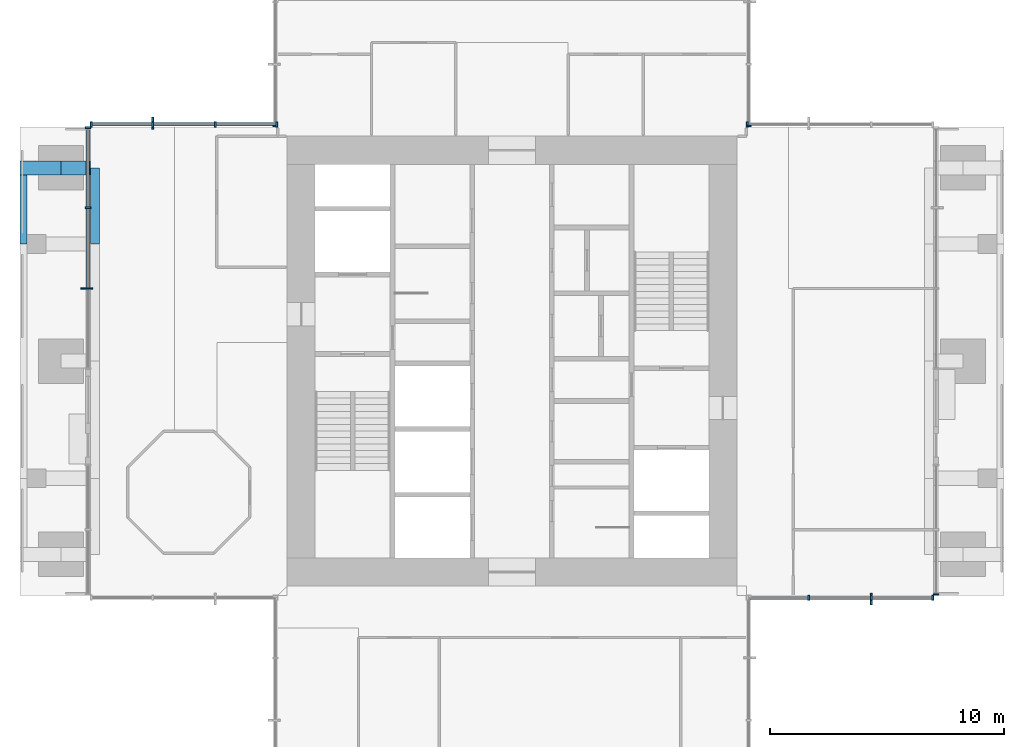
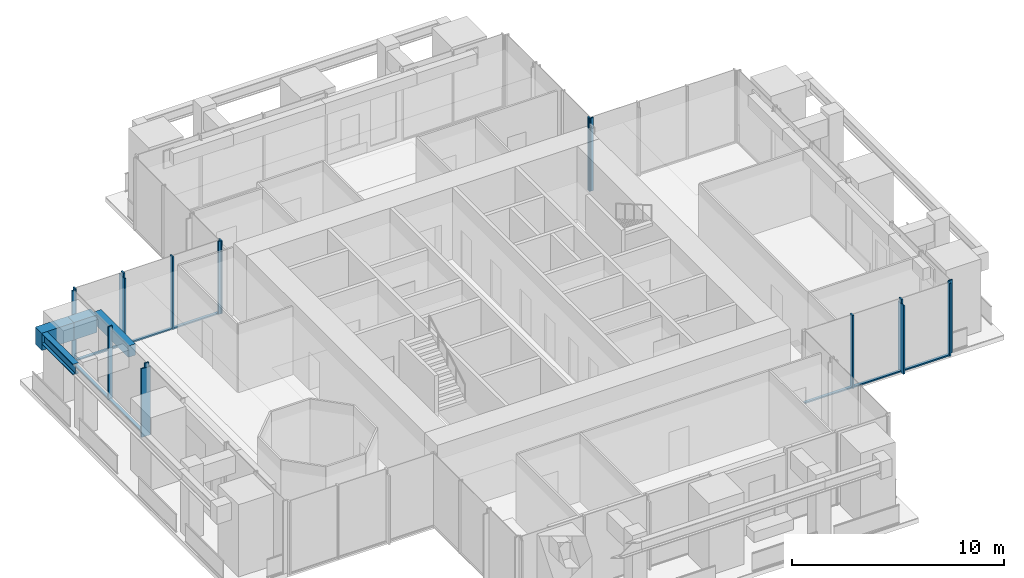
# One storey, part 3 of 12: 25 members, 4 beams, 7 elements without a shape of their own.
"""IFC4 building model written with IfcOpenShell, lengths in metres."""

from ifc_helpers import new_model, si_unit, direction, frame, origin, origin_2d, place, context, subcontext, project, spatial, rectangle, i_section, extrude, material, material_profile, profile_set, type_object, element, aggregate, save


model = new_model("IFC4")

# Units and contexts
model_context = context("Model", 3, precision=1e-05, world=origin(), true_north=direction((0.0, 1.0)))
body_context = subcontext(model_context, "Body", "Model", "MODEL_VIEW")
ifc_project = project(units=[si_unit("LENGTHUNIT", "METRE"), si_unit("AREAUNIT", "SQUARE_METRE"), si_unit("VOLUMEUNIT", "CUBIC_METRE"), si_unit("PLANEANGLEUNIT", "RADIAN"), si_unit("MASSUNIT", "GRAM", prefix="KILO")], contexts=[model_context])

# Site, building, storey
site_placement = place(None, origin())
site = spatial("IfcSite", under=ifc_project, at=site_placement, CompositionType="ELEMENT")
building_placement = place(site_placement, origin())
building = spatial("IfcBuilding", under=site, at=building_placement, Name="Svetlomir Tower", CompositionType="ELEMENT")
storey_placement = place(building_placement, frame((0.0, 0.0, 269.199951171875)))
storey = spatial("IfcBuildingStorey", under=building, at=storey_placement, Name="L64", CompositionType="ELEMENT", Elevation=269.199951171875)

# Curtain wall, member
ifc_material_1 = material(Name="Bronze anodised aluminium curtain wall", Category="aluminium")
curtain_wall_type = type_object("IfcCurtainWallType", Name="CURTAIN WALL CW4 EXECUTIVE", PredefinedType="NOTDEFINED", material=ifc_material_1)
curtain_wall_1_placement = place(storey_placement, origin())
curtain_wall_1 = element("IfcCurtainWall", 1, at=curtain_wall_1_placement, inside=storey, type_object=curtain_wall_type, Name="Curtain wall CW4 L64", PredefinedType="NOTDEFINED")
ifc_material_2 = material(Name="Bronze anodised aluminium", Category="aluminium")
ifc_material_profile_1 = material_profile(ifc_material_2, rectangle(XDim=0.080078125, YDim=0.5, at=origin_2d()), Name="FIN 80x500")
ifc_profile_set_1 = profile_set([ifc_material_profile_1], Name="Bronze anodised aluminium 6063-T6")
member_type_1 = type_object("IfcMemberType", Name="BRONZE FIN 80x500", PredefinedType="USERDEFINED", material=ifc_profile_set_1)
member_1_placement = place(storey_placement, frame((36.333251953125, 10.85009765625, 0.0), z_axis=(0.0, 0.0, 1.0), x_axis=(1.0, 0.0, 0.0)))
member_1 = element("IfcMember", 2, at=member_1_placement, type_object=member_type_1, Name="Bronze fin L64", ObjectType="FIN", PredefinedType="USERDEFINED", context=body_context, shape_type="SweptSolid", body=[
    extrude(rectangle(XDim=0.080078125, YDim=0.5, at=origin_2d()), origin(), (0.0, 0.0, 1.0), 3.949951171875),
])

curtain_wall_2_placement = place(storey_placement, origin())
curtain_wall_2 = element("IfcCurtainWall", 3, at=curtain_wall_2_placement, inside=storey, type_object=curtain_wall_type, Name="Curtain wall CW4 L64", PredefinedType="NOTDEFINED")
member_2_placement = place(storey_placement, frame((5.666748046875, 31.14990234375, 0.0), z_axis=(0.0, 0.0, 1.0), x_axis=(1.0, 0.0, 0.0)))
member_2 = element("IfcMember", 4, at=member_2_placement, type_object=member_type_1, Name="Bronze fin L64", ObjectType="FIN", PredefinedType="USERDEFINED", context=body_context, shape_type="SweptSolid", body=[
    extrude(rectangle(XDim=0.080078125, YDim=0.5, at=origin_2d()), origin(), (0.0, 0.0, 1.0), 3.949951171875),
])

curtain_wall_3_placement = place(storey_placement, origin())
curtain_wall_3 = element("IfcCurtainWall", 5, at=curtain_wall_3_placement, inside=storey, type_object=curtain_wall_type, Name="Curtain wall CW4 L64", PredefinedType="NOTDEFINED")
member_3_placement = place(storey_placement, frame((2.85009765625, 24.10009765625, 0.0), z_axis=(0.0, 0.0, 1.0), x_axis=(0.0, 1.0, 0.0)))
member_3 = element("IfcMember", 6, at=member_3_placement, type_object=member_type_1, Name="Bronze fin L64", ObjectType="FIN", PredefinedType="USERDEFINED", context=body_context, shape_type="SweptSolid", body=[
    extrude(rectangle(XDim=0.080078125, YDim=0.5, at=origin_2d()), origin(), (0.0, 0.0, 1.0), 3.949951171875),
])

# Member
ifc_material_3 = material(Name="Bronze anodised aluminium", Category="aluminium")
ifc_material_profile_2 = material_profile(ifc_material_3, rectangle(XDim=0.074951171875, YDim=0.219970703125, at=origin_2d()), Name="AL 75x220")
ifc_profile_set_2 = profile_set([ifc_material_profile_2], Name="Bronze anodised aluminium 6063-T6")
member_type_2 = type_object("IfcMemberType", Name="CW4 MULLION 75x220", PredefinedType="MULLION", material=ifc_profile_set_2)
member_4_placement = place(storey_placement, frame((33.666748046875, 10.89990234375, 0.0), z_axis=(0.0, 0.0, 1.0), x_axis=(1.0, 0.0, 0.0)))
member_4 = element("IfcMember", 7, at=member_4_placement, type_object=member_type_2, Name="CW4 mullion 2", PredefinedType="MULLION", context=body_context, shape_type="SweptSolid", body=[
    extrude(rectangle(XDim=0.074951171875, YDim=0.219970703125, at=origin_2d()), origin(), (0.0, 0.0, 1.0), 4.199951171875),
])

member_5_placement = place(storey_placement, frame((36.333251953125, 10.89990234375, 0.0), z_axis=(0.0, 0.0, 1.0), x_axis=(1.0, 0.0, 0.0)))
member_5 = element("IfcMember", 8, at=member_5_placement, type_object=member_type_2, Name="CW4 mullion 3", PredefinedType="MULLION", context=body_context, shape_type="SweptSolid", body=[
    extrude(rectangle(XDim=0.074951171875, YDim=0.219970703125, at=origin_2d()), origin(), (0.0, 0.0, 1.0), 4.199951171875),
])

member_6_placement = place(storey_placement, frame((38.96240234375, 10.89990234375, 0.0), z_axis=(0.0, 0.0, 1.0), x_axis=(1.0, 0.0, 0.0)))
member_6 = element("IfcMember", 9, at=member_6_placement, type_object=member_type_2, Name="CW4 mullion 4", PredefinedType="MULLION", context=body_context, shape_type="SweptSolid", body=[
    extrude(rectangle(XDim=0.074951171875, YDim=0.219970703125, at=origin_2d()), origin(), (0.0, 0.0, 1.0), 4.199951171875),
])

# Curtain wall, member
curtain_wall_4_placement = place(storey_placement, origin())
curtain_wall_4 = element("IfcCurtainWall", 10, at=curtain_wall_4_placement, inside=storey, type_object=curtain_wall_type, Name="Curtain wall CW4 L64", PredefinedType="NOTDEFINED")
member_7_placement = place(storey_placement, frame((39.10009765625, 11.03759765625, 0.0), z_axis=(0.0, 0.0, 1.0), x_axis=(0.0, 1.0, 0.0)))
member_7 = element("IfcMember", 11, at=member_7_placement, type_object=member_type_2, Name="CW4 mullion 1", PredefinedType="MULLION", context=body_context, shape_type="SweptSolid", body=[
    extrude(rectangle(XDim=0.074951171875, YDim=0.219970703125, at=origin_2d()), origin(), (0.0, 0.0, 1.0), 4.199951171875),
])
aggregate(curtain_wall_4, [member_7])

curtain_wall_5_placement = place(storey_placement, origin())
curtain_wall_5 = element("IfcCurtainWall", 12, at=curtain_wall_5_placement, inside=storey, type_object=curtain_wall_type, Name="Curtain wall CW4 L64", PredefinedType="NOTDEFINED")
member_8_placement = place(storey_placement, frame((31.03759765625, 31.10009765625, 0.0), z_axis=(0.0, 0.0, 1.0), x_axis=(-1.0, 0.0, 0.0)))
member_8 = element("IfcMember", 13, at=member_8_placement, type_object=member_type_2, Name="CW4 mullion 4", PredefinedType="MULLION", context=body_context, shape_type="SweptSolid", body=[
    extrude(rectangle(XDim=0.074951171875, YDim=0.219970703125, at=origin_2d()), origin(), (0.0, 0.0, 1.0), 4.199951171875),
])
aggregate(curtain_wall_5, [member_8])

curtain_wall_6_placement = place(storey_placement, origin())
curtain_wall_6 = element("IfcCurtainWall", 14, at=curtain_wall_6_placement, inside=storey, type_object=curtain_wall_type, Name="Curtain wall CW4 L64", PredefinedType="NOTDEFINED")
member_9_placement = place(storey_placement, frame((31.10009765625, 31.03759765625, 0.0), z_axis=(0.0, 0.0, 1.0), x_axis=(0.0, 1.0, 0.0)))
member_9 = element("IfcMember", 15, at=member_9_placement, type_object=member_type_2, Name="CW4 mullion 1", PredefinedType="MULLION", context=body_context, shape_type="SweptSolid", body=[
    extrude(rectangle(XDim=0.074951171875, YDim=0.219970703125, at=origin_2d()), origin(), (0.0, 0.0, 1.0), 4.199951171875),
])
aggregate(curtain_wall_6, [member_9])

curtain_wall_7_placement = place(storey_placement, origin())
curtain_wall_7 = element("IfcCurtainWall", 16, at=curtain_wall_7_placement, inside=storey, type_object=curtain_wall_type, Name="Curtain wall CW4 L64", PredefinedType="NOTDEFINED")
member_10_placement = place(storey_placement, frame((10.89990234375, 31.03759765625, 0.0), z_axis=(0.0, 0.0, 1.0), x_axis=(0.0, -1.0, 0.0)))
member_10 = element("IfcMember", 17, at=member_10_placement, type_object=member_type_2, Name="CW4 mullion 4", PredefinedType="MULLION", context=body_context, shape_type="SweptSolid", body=[
    extrude(rectangle(XDim=0.074951171875, YDim=0.219970703125, at=origin_2d()), origin(), (0.0, 0.0, 1.0), 4.199951171875),
])
aggregate(curtain_wall_7, [member_10])

# Member
member_11_placement = place(storey_placement, frame((10.96240234375, 31.10009765625, 0.0), z_axis=(0.0, 0.0, 1.0), x_axis=(-1.0, 0.0, 0.0)))
member_11 = element("IfcMember", 18, at=member_11_placement, type_object=member_type_2, Name="CW4 mullion 1", PredefinedType="MULLION", context=body_context, shape_type="SweptSolid", body=[
    extrude(rectangle(XDim=0.074951171875, YDim=0.219970703125, at=origin_2d()), origin(), (0.0, 0.0, 1.0), 4.199951171875),
])

member_12_placement = place(storey_placement, frame((8.333251953125, 31.10009765625, 0.0), z_axis=(0.0, 0.0, 1.0), x_axis=(-1.0, 0.0, 0.0)))
member_12 = element("IfcMember", 19, at=member_12_placement, type_object=member_type_2, Name="CW4 mullion 2", PredefinedType="MULLION", context=body_context, shape_type="SweptSolid", body=[
    extrude(rectangle(XDim=0.074951171875, YDim=0.219970703125, at=origin_2d()), origin(), (0.0, 0.0, 1.0), 4.199951171875),
])

member_13_placement = place(storey_placement, frame((5.666748046875, 31.10009765625, 0.0), z_axis=(0.0, 0.0, 1.0), x_axis=(-1.0, 0.0, 0.0)))
member_13 = element("IfcMember", 20, at=member_13_placement, type_object=member_type_2, Name="CW4 mullion 3", PredefinedType="MULLION", context=body_context, shape_type="SweptSolid", body=[
    extrude(rectangle(XDim=0.074951171875, YDim=0.219970703125, at=origin_2d()), origin(), (0.0, 0.0, 1.0), 4.199951171875),
])

member_14_placement = place(storey_placement, frame((3.03759765625, 31.10009765625, 0.0), z_axis=(0.0, 0.0, 1.0), x_axis=(-1.0, 0.0, 0.0)))
member_14 = element("IfcMember", 21, at=member_14_placement, type_object=member_type_2, Name="CW4 mullion 4", PredefinedType="MULLION", context=body_context, shape_type="SweptSolid", body=[
    extrude(rectangle(XDim=0.074951171875, YDim=0.219970703125, at=origin_2d()), origin(), (0.0, 0.0, 1.0), 4.199951171875),
])

member_15_placement = place(storey_placement, frame((2.89990234375, 30.96240234375, 0.0), z_axis=(0.0, 0.0, 1.0), x_axis=(0.0, -1.0, 0.0)))
member_15 = element("IfcMember", 22, at=member_15_placement, type_object=member_type_2, Name="CW4 mullion 1", PredefinedType="MULLION", context=body_context, shape_type="SweptSolid", body=[
    extrude(rectangle(XDim=0.074951171875, YDim=0.219970703125, at=origin_2d()), origin(), (0.0, 0.0, 1.0), 4.199951171875),
])

member_16_placement = place(storey_placement, frame((2.89990234375, 27.550048828125, 0.0), z_axis=(0.0, 0.0, 1.0), x_axis=(0.0, -1.0, 0.0)))
member_16 = element("IfcMember", 23, at=member_16_placement, type_object=member_type_2, Name="CW4 mullion 2", PredefinedType="MULLION", context=body_context, shape_type="SweptSolid", body=[
    extrude(rectangle(XDim=0.074951171875, YDim=0.219970703125, at=origin_2d()), origin(), (0.0, 0.0, 1.0), 4.199951171875),
])

member_17_placement = place(storey_placement, frame((2.89990234375, 24.10009765625, 0.0), z_axis=(0.0, 0.0, 1.0), x_axis=(0.0, -1.0, 0.0)))
member_17 = element("IfcMember", 24, at=member_17_placement, type_object=member_type_2, Name="CW4 mullion 3", PredefinedType="MULLION", context=body_context, shape_type="SweptSolid", body=[
    extrude(rectangle(XDim=0.074951171875, YDim=0.219970703125, at=origin_2d()), origin(), (0.0, 0.0, 1.0), 4.199951171875),
])

ifc_material_4 = material(Name="Bronze anodised aluminium", Category="aluminium")
ifc_material_profile_3 = material_profile(ifc_material_4, rectangle(XDim=0.14990234375, YDim=0.074951171875, at=origin_2d()), Name="AL 150x75")
ifc_profile_set_3 = profile_set([ifc_material_profile_3], Name="Bronze anodised aluminium 6063-T6")
member_type_3 = type_object("IfcMemberType", Name="CW4 TRANSOM 75x150", PredefinedType="USERDEFINED", material=ifc_profile_set_3)
member_18_placement = place(storey_placement, frame((31.074951171875, 10.89990234375, 0.03759765625), z_axis=(1.0, 0.0, 0.0), x_axis=(0.0, 1.0, 0.0)))
member_18 = element("IfcMember", 25, at=member_18_placement, type_object=member_type_3, Name="CW4 transom 1.1", ObjectType="TRANSOM", PredefinedType="USERDEFINED", context=body_context, shape_type="SweptSolid", body=[
    extrude(rectangle(XDim=0.14990234375, YDim=0.074951171875, at=origin_2d()), origin(), (0.0, 0.0, 1.0), 2.55419921875),
])

member_19_placement = place(storey_placement, frame((33.7041015625, 10.89990234375, 0.03759765625), z_axis=(1.0, 0.0, 0.0), x_axis=(0.0, 1.0, 0.0)))
member_19 = element("IfcMember", 26, at=member_19_placement, type_object=member_type_3, Name="CW4 transom 2.1", ObjectType="TRANSOM", PredefinedType="USERDEFINED", context=body_context, shape_type="SweptSolid", body=[
    extrude(rectangle(XDim=0.14990234375, YDim=0.074951171875, at=origin_2d()), origin(), (0.0, 0.0, 1.0), 2.591796875),
])

member_20_placement = place(storey_placement, frame((36.370849609375, 10.89990234375, 0.03759765625), z_axis=(1.0, 0.0, 0.0), x_axis=(0.0, 1.0, 0.0)))
member_20 = element("IfcMember", 27, at=member_20_placement, type_object=member_type_3, Name="CW4 transom 3.1", ObjectType="TRANSOM", PredefinedType="USERDEFINED", context=body_context, shape_type="SweptSolid", body=[
    extrude(rectangle(XDim=0.14990234375, YDim=0.074951171875, at=origin_2d()), origin(), (0.0, 0.0, 1.0), 2.55419921875),
])

aggregate(curtain_wall_1, [member_4, member_5, member_6, member_18, member_19, member_20, member_1])

member_21_placement = place(storey_placement, frame((10.925048828125, 31.10009765625, 0.03759765625), z_axis=(-1.0, 0.0, 0.0), x_axis=(0.0, -1.0, 0.0)))
member_21 = element("IfcMember", 28, at=member_21_placement, type_object=member_type_3, Name="CW4 transom 1.1", ObjectType="TRANSOM", PredefinedType="USERDEFINED", context=body_context, shape_type="SweptSolid", body=[
    extrude(rectangle(XDim=0.14990234375, YDim=0.074951171875, at=origin_2d()), origin(), (0.0, 0.0, 1.0), 2.55419921875),
])

member_22_placement = place(storey_placement, frame((8.2958984375, 31.10009765625, 0.03759765625), z_axis=(-1.0, 0.0, 0.0), x_axis=(0.0, -1.0, 0.0)))
member_22 = element("IfcMember", 29, at=member_22_placement, type_object=member_type_3, Name="CW4 transom 2.1", ObjectType="TRANSOM", PredefinedType="USERDEFINED", context=body_context, shape_type="SweptSolid", body=[
    extrude(rectangle(XDim=0.14990234375, YDim=0.074951171875, at=origin_2d()), origin(), (0.0, 0.0, 1.0), 2.591796875),
])

member_23_placement = place(storey_placement, frame((5.629150390625, 31.10009765625, 0.03759765625), z_axis=(-1.0, 0.0, 0.0), x_axis=(0.0, -1.0, 0.0)))
member_23 = element("IfcMember", 30, at=member_23_placement, type_object=member_type_3, Name="CW4 transom 3.1", ObjectType="TRANSOM", PredefinedType="USERDEFINED", context=body_context, shape_type="SweptSolid", body=[
    extrude(rectangle(XDim=0.14990234375, YDim=0.074951171875, at=origin_2d()), origin(), (0.0, 0.0, 1.0), 2.55419921875),
])

aggregate(curtain_wall_2, [member_11, member_12, member_13, member_14, member_21, member_22, member_23, member_2])

member_24_placement = place(storey_placement, frame((2.89990234375, 30.925048828125, 0.03759765625), z_axis=(0.0, -1.0, 0.0), x_axis=(1.0, 0.0, 0.0)))
member_24 = element("IfcMember", 31, at=member_24_placement, type_object=member_type_3, Name="CW4 transom 1.1", ObjectType="TRANSOM", PredefinedType="USERDEFINED", context=body_context, shape_type="SweptSolid", body=[
    extrude(rectangle(XDim=0.14990234375, YDim=0.074951171875, at=origin_2d()), origin(), (0.0, 0.0, 1.0), 3.337646484375),
])

member_25_placement = place(storey_placement, frame((2.89990234375, 27.512451171875, 0.03759765625), z_axis=(0.0, -1.0, 0.0), x_axis=(1.0, 0.0, 0.0)))
member_25 = element("IfcMember", 32, at=member_25_placement, type_object=member_type_3, Name="CW4 transom 2.1", ObjectType="TRANSOM", PredefinedType="USERDEFINED", context=body_context, shape_type="SweptSolid", body=[
    extrude(rectangle(XDim=0.14990234375, YDim=0.074951171875, at=origin_2d()), origin(), (0.0, 0.0, 1.0), 3.375),
])

aggregate(curtain_wall_3, [member_15, member_16, member_17, member_24, member_25, member_3])

# Beams
ifc_material_5 = material(Name="Steel S355", Category="steel")
ifc_material_profile_4 = material_profile(ifc_material_5, i_section(OverallWidth=0.304931640625, OverallDepth=0.6201171875, WebThickness=0.02099609375, FlangeThickness=0.0400390625, FilletRadius=0.027099609375, at=origin_2d()), Name="HEM 600")
ifc_profile_set_4 = profile_set([ifc_material_profile_4], Name="Steel S355")
beam_type_1 = type_object("IfcBeamType", Name="EDGE BEAM HEM 600", PredefinedType="SPANDREL", material=ifc_profile_set_4)
beam_1_placement = place(storey_placement, frame((0.152587890625, 26.0, 3.64013671875), z_axis=(0.0, 1.0, 0.0), x_axis=(-1.0, 0.0, 0.0)))
element("IfcBeam", 33, at=beam_1_placement, inside=storey, type_object=beam_type_1, Name="Edge beam 0/26 to 0/31 under L65", PredefinedType="SPANDREL", context=body_context, shape_type="SweptSolid", body=[
    extrude(i_section(OverallWidth=0.304931640625, OverallDepth=0.6201171875, WebThickness=0.02099609375, FlangeThickness=0.0400390625, FilletRadius=0.027099609375, at=origin_2d()), origin(), (0.0, 0.0, 1.0), 2.949951171875),
])
ifc_material_6 = material(Name="Concrete C60/75", Category="concrete")
ifc_material_profile_5 = material_profile(ifc_material_6, rectangle(XDim=0.60009765625, YDim=1.0, at=origin_2d()), Name="RC 600x1000")
ifc_profile_set_5 = profile_set([ifc_material_profile_5], Name="Concrete C60/75")
beam_type_2 = type_object("IfcBeamType", Name="EDGE LINK BEAM RC 600x1000", PredefinedType="BEAM", material=ifc_profile_set_5)
beam_2_placement = place(storey_placement, frame((1.75, 29.25, 3.449951171875), z_axis=(-1.0, 0.0, 0.0), x_axis=(0.0, -1.0, 0.0)))
element("IfcBeam", 34, at=beam_2_placement, inside=storey, type_object=beam_type_2, Name="Edge link beam W 0/31 under L65", PredefinedType="BEAM", context=body_context, shape_type="SweptSolid", body=[
    extrude(rectangle(XDim=0.60009765625, YDim=1.0, at=origin_2d()), origin(), (0.0, 0.0, 1.0), 1.75),
])
ifc_material_7 = material(Name="Concrete C60/75", Category="concrete")
ifc_material_profile_6 = material_profile(ifc_material_7, rectangle(XDim=0.39990234375, YDim=0.64990234375, at=origin_2d()), Name="RC 400x650")
ifc_profile_set_6 = profile_set([ifc_material_profile_6], Name="Concrete C60/75")
beam_type_3 = type_object("IfcBeamType", Name="FACADE EDGE BEAM RC 400x650", PredefinedType="BEAM", material=ifc_profile_set_6)
beam_3_placement = place(storey_placement, frame((3.199951171875, 26.0, 3.625), z_axis=(0.0, 1.0, 0.0), x_axis=(-1.0, 0.0, 0.0)))
element("IfcBeam", 35, at=beam_3_placement, inside=storey, type_object=beam_type_3, Name="Facade edge beam W 26 to 31 under L65", PredefinedType="BEAM", context=body_context, shape_type="SweptSolid", body=[
    extrude(rectangle(XDim=0.39990234375, YDim=0.64990234375, at=origin_2d()), origin(), (0.0, 0.0, 1.0), 3.25),
])
ifc_material_8 = material(Name="Concrete C60/75", Category="concrete")
ifc_material_profile_7 = material_profile(ifc_material_8, rectangle(XDim=0.60009765625, YDim=1.0, at=origin_2d()), Name="RC 600x1000")
ifc_profile_set_7 = profile_set([ifc_material_profile_7], Name="Concrete C60/75")
beam_type_4 = type_object("IfcBeamType", Name="LOGGIA LINK BEAM RC 600x1000", PredefinedType="BEAM", material=ifc_profile_set_7)
beam_4_placement = place(storey_placement, frame((1.75, 29.25, 3.449951171875), z_axis=(1.0, 0.0, 0.0), x_axis=(0.0, 1.0, 0.0)))
element("IfcBeam", 36, at=beam_4_placement, inside=storey, type_object=beam_type_4, Name="Loggia link beam W 31 under L65", PredefinedType="BEAM", context=body_context, shape_type="SweptSolid", body=[
    extrude(rectangle(XDim=0.60009765625, YDim=1.0, at=origin_2d()), origin(), (0.0, 0.0, 1.0), 1.25),
])

save(model, "model.ifc")
